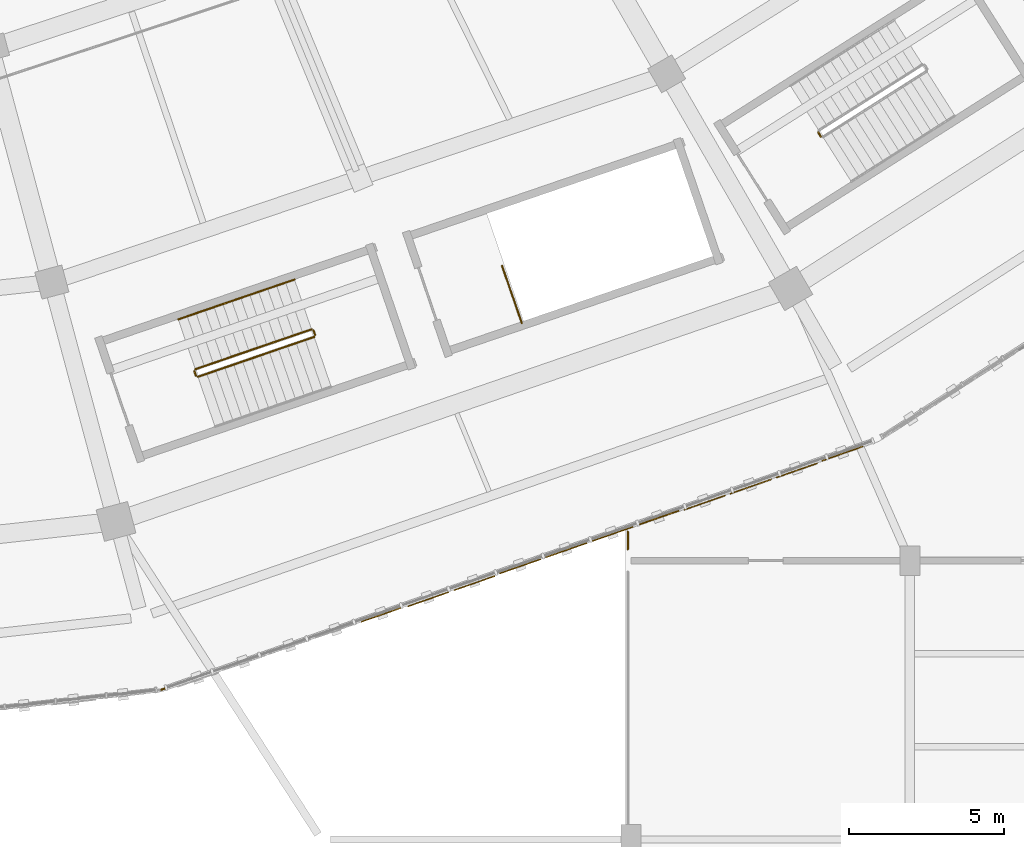
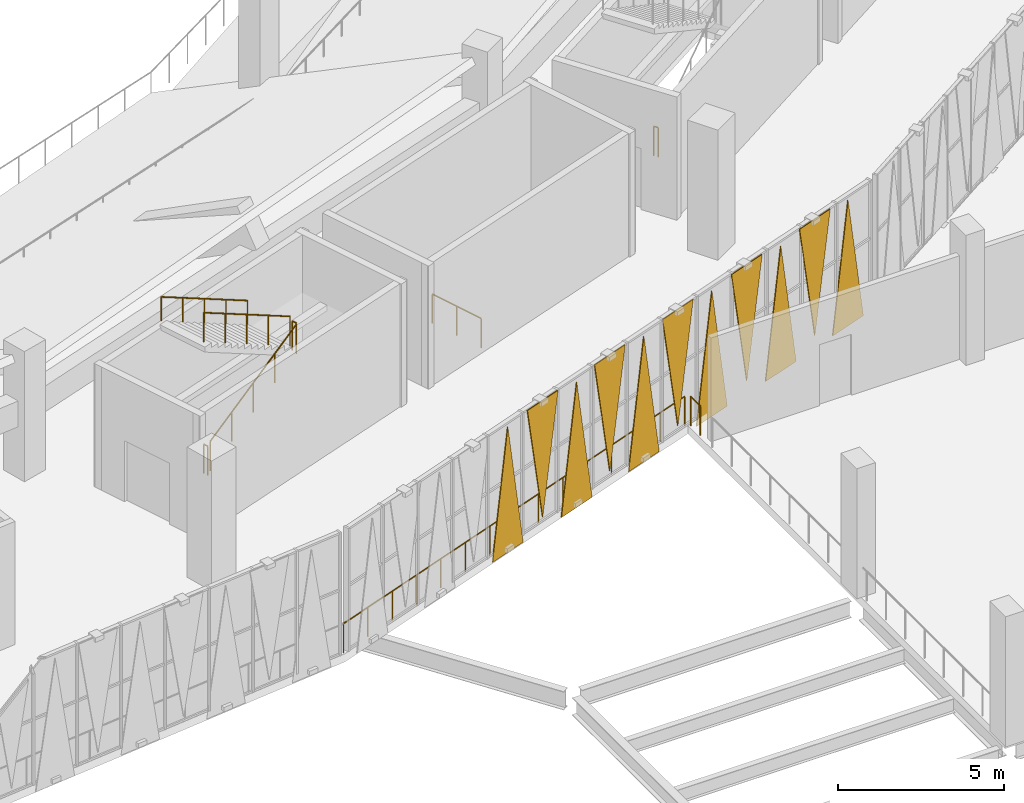
# One storey, part 127 of 152: 11 coverings, 9 railings.
"""IFC4 building model written with IfcOpenShell, lengths in metres."""

from ifc_helpers import new_model, si_unit, direction, frame, origin, origin_2d, place, context, subcontext, project, spatial, polyline, circle, outline, extrude, material, layer, layer_set, type_object, element, save


model = new_model("IFC4")

# Units and contexts
model_context = context("Model", 3, precision=1e-05, world=origin(), true_north=direction((0.0, 1.0)))
body_context = subcontext(model_context, "Body", "Model", "MODEL_VIEW")
ifc_project = project(units=[si_unit("LENGTHUNIT", "METRE"), si_unit("AREAUNIT", "SQUARE_METRE"), si_unit("VOLUMEUNIT", "CUBIC_METRE"), si_unit("PLANEANGLEUNIT", "RADIAN"), si_unit("MASSUNIT", "GRAM", prefix="KILO")], contexts=[model_context])

# Site, building, storey
site_placement = place(None, origin())
site = spatial("IfcSite", under=ifc_project, at=site_placement, CompositionType="ELEMENT")
building_placement = place(site_placement, origin())
building = spatial("IfcBuilding", under=site, at=building_placement, Name="Zevraka Park Crest Stadium", CompositionType="ELEMENT")
storey_placement = place(building_placement, frame((0.0, 0.0, 15.0)))
storey = spatial("IfcBuildingStorey", under=building, at=storey_placement, Name="L03", CompositionType="ELEMENT", Elevation=15.0)

# Coverings
ifc_material_1 = material(Name="Architectural golden-bronze perforated aluminium", Category="aluminium")
ifc_layer = layer(ifc_material_1, 0.034912109375)
ifc_layer_set = layer_set([ifc_layer], Name="Architectural golden-bronze perforated aluminium")
covering_type = type_object("IfcCoveringType", Name="CLD01", PredefinedType="CLADDING", material=ifc_layer_set)
covering_1_placement = place(storey_placement, frame((143.294921875, 16.013916015625, -0.260009765625), z_axis=(0.329343541036, -0.944210162435, 3.3649168e-05), x_axis=(0.94421016297, 0.329343541222, 0.0)))
element("IfcCovering", 1, at=covering_1_placement, inside=storey, type_object=covering_type, Name="Triangular Golden-Bronze Perforated Cladding L03-19-5", PredefinedType="CLADDING", context=body_context, shape_type="SweptSolid", body=[
    extrude(outline(polyline([(0.0, 0.0), (1.4151316020815952, 0.0), (0.7074907440801351, 4.620117190115602), (0.0, 0.0)])), origin(), (0.0, 0.0, -1.0), 0.034912109375),
])
covering_2_placement = place(storey_placement, frame((146.117919921875, 17.0, 4.52001953125), z_axis=(-0.330012295654, 0.943976624056, 0.00013398862), x_axis=(-0.94397663253, -0.330012298616, 0.0)))
element("IfcCovering", 2, at=covering_2_placement, inside=storey, type_object=covering_type, Name="Triangular Golden-Bronze Perforated Cladding L03-19-6", PredefinedType="CLADDING", context=body_context, shape_type="SweptSolid", body=[
    extrude(outline(polyline([(0.0, 0.0), (1.4152230616345545, 6.776263578034403e-21), (0.7074101072951724, -4.300048866724282), (0.0, 0.0)])), origin(), (0.0, 0.0, -1.0), 0.034912109375),
])
covering_3_placement = place(storey_placement, frame((146.26904296875, 17.052978515625, -0.260009765625), z_axis=(-0.33001229605, 0.943976625189, 0.000124706276), x_axis=(0.94397663253, 0.330012298616, 0.0)))
element("IfcCovering", 3, at=covering_3_placement, inside=storey, type_object=covering_type, Name="Triangular Golden-Bronze Perforated Cladding L03-19-7", PredefinedType="CLADDING", context=body_context, shape_type="SweptSolid", body=[
    extrude(outline(polyline([(0.0, 0.0), (1.4152230616345542, 0.0), (0.7074101072951724, -4.620117223425236), (0.0, 0.0)])), origin(), (0.0, 0.0, -1.0), 0.034912109375),
])
covering_4_placement = place(storey_placement, frame((149.091064453125, 18.0390625, 4.52001953125), z_axis=(0.329611990515, -0.944116482, 6.4229956e-05), x_axis=(-0.944116483947, -0.329611991195, 0.0)))
element("IfcCovering", 4, at=covering_4_placement, inside=storey, type_object=covering_type, Name="Triangular Golden-Bronze Perforated Cladding L03-19-8", PredefinedType="CLADDING", context=body_context, shape_type="SweptSolid", body=[
    extrude(outline(polyline([(0.0, 0.0), (1.4139790589388457, 3.3881317890172014e-21), (0.7065687709312647, 4.3000488369948995), (0.0, 0.0)])), origin(), (0.0, 0.0, -1.0), 0.034912109375),
])
covering_5_placement = place(storey_placement, frame((149.241943359375, 18.092041015625, -0.260009765625), z_axis=(0.330012297693, -0.943976629887, 7.4823766e-05), x_axis=(0.94397663253, 0.330012298616, 0.0)))
element("IfcCovering", 5, at=covering_5_placement, inside=storey, type_object=covering_type, Name="Triangular Golden-Bronze Perforated Cladding L03-19-9", PredefinedType="CLADDING", context=body_context, shape_type="SweptSolid", body=[
    extrude(outline(polyline([(0.0, 0.0), (1.4152230616345542, 0.0), (0.70773238493054, 4.620117200433086), (0.0, 0.0)])), origin(), (0.0, 0.0, -1.0), 0.034912109375),
])
covering_6_placement = place(storey_placement, frame((152.06494140625, 19.0791015625, 4.52001953125), z_axis=(0.330012295654, -0.943976624056, 0.00013398862), x_axis=(-0.94397663253, -0.330012298616, 0.0)))
element("IfcCovering", 6, at=covering_6_placement, inside=storey, type_object=covering_type, Name="Triangular Golden-Bronze Perforated Cladding L03-19-10", PredefinedType="CLADDING", context=body_context, shape_type="SweptSolid", body=[
    extrude(outline(polyline([(0.0, 0.0), (1.4152230616345545, 6.776263578034403e-21), (0.707812954339382, 4.300048866724282), (0.0, 0.0)])), origin(), (0.0, 0.0, -1.0), 0.034912109375),
])
covering_7_placement = place(storey_placement, frame((152.216064453125, 19.132080078125, -0.260009765625), z_axis=(0.329243357705, -0.944245101341, 0.0), x_axis=(0.944245101341, 0.329243357705, 0.0)))
element("IfcCovering", 7, at=covering_7_placement, inside=storey, type_object=covering_type, Name="Triangular Golden-Bronze Perforated Cladding L03-19-11", PredefinedType="CLADDING", context=body_context, shape_type="SweptSolid", body=[
    extrude(outline(polyline([(0.0, 0.0), (1.414820683847903, 0.0), (0.7074103419239515, 4.6201171875), (0.0, 0.0)])), origin(), (0.0, 0.0, -1.0), 0.034912109375),
])
covering_8_placement = place(storey_placement, frame((155.0390625, 20.117919921875, 4.52001953125), z_axis=(-0.329958563173, 0.943995408388, 0.000124624382), x_axis=(-0.943995415719, -0.329958565735, 0.0)))
element("IfcCovering", 8, at=covering_8_placement, inside=storey, type_object=covering_type, Name="Triangular Golden-Bronze Perforated Cladding L03-19-12", PredefinedType="CLADDING", context=body_context, shape_type="SweptSolid", body=[
    extrude(outline(polyline([(0.0, 0.0), (1.415453526972662, 0.0), (0.7074101389447789, -4.3000488615175385), (0.0, 0.0)])), origin(), (0.0, 0.0, -1.0), 0.034912109375),
])
covering_9_placement = place(storey_placement, frame((155.18994140625, 20.1708984375, -0.260009765625), z_axis=(-0.330012297693, 0.943976629887, 7.4823766e-05), x_axis=(0.94397663253, 0.330012298616, 0.0)))
element("IfcCovering", 9, at=covering_9_placement, inside=storey, type_object=covering_type, Name="Triangular Golden-Bronze Perforated Cladding L03-19-13", PredefinedType="CLADDING", context=body_context, shape_type="SweptSolid", body=[
    extrude(outline(polyline([(0.0, 0.0), (1.4152230616345542, 0.0), (0.7074906767040143, -4.620117200433086), (0.0, 0.0)])), origin(), (0.0, 0.0, -1.0), 0.034912109375),
])
covering_10_placement = place(storey_placement, frame((158.012939453125, 21.156982421875, 4.52001953125), z_axis=(-0.32939719824, 0.944191445139, 2.6803822e-05), x_axis=(-0.944191445478, -0.329397198358, 0.0)))
element("IfcCovering", 10, at=covering_10_placement, inside=storey, type_object=covering_type, Name="Triangular Golden-Bronze Perforated Cladding L03-19-14", PredefinedType="CLADDING", context=body_context, shape_type="SweptSolid", body=[
    extrude(outline(polyline([(0.0, 0.0), (1.4149010843069405, 0.0), (0.70741033253453, -4.300048829669675), (0.0, 0.0)])), origin(), (0.0, 0.0, -1.0), 0.034912109375),
])
covering_11_placement = place(storey_placement, frame((158.1640625, 21.2099609375, -0.260009765625), z_axis=(0.33001229605, -0.943976625189, 0.000124706276), x_axis=(0.94397663253, 0.330012298616, 0.0)))
element("IfcCovering", 11, at=covering_11_placement, inside=storey, type_object=covering_type, Name="Triangular Golden-Bronze Perforated Cladding L03-19-15", PredefinedType="CLADDING", context=body_context, shape_type="SweptSolid", body=[
    extrude(outline(polyline([(0.0, 0.0), (1.4152230616345542, 0.0), (0.707812954339382, 4.620117223425236), (0.0, 0.0)])), origin(), (0.0, 0.0, -1.0), 0.034912109375),
])

# Railings
ifc_material_2 = material(Name="Galvanised and bronze-finished steel balustrade", Category="steel")
railing_type_1 = type_object("IfcRailingType", Name="GR01", PredefinedType="GUARDRAIL", material=ifc_material_2)
railing_1_placement = place(storey_placement, frame((151.89501953125, 18.364990234375, 0.0)))
element("IfcRailing", 12, at=railing_1_placement, inside=storey, type_object=railing_type_1, Name="Deck Edge Protection Guardrail GR01 L03-29", PredefinedType="GUARDRAIL", context=body_context, shape_type="SweptSolid", body=[
    extrude(circle(Radius=0.02392578125, at=origin_2d()), frame((0.0, 0.0, 1.076171875), z_axis=(-0.005095475251, 0.999987017982, 0.0), x_axis=(-0.999987017982, -0.005095475251, 0.0)), (0.0, 0.0, 1.0), 0.574951171875),
    extrude(circle(Radius=0.02099609375, at=origin_2d()), origin(), (0.0, 0.0, 1.0), 1.052001953125),
    extrude(circle(Radius=0.02099609375, at=origin_2d()), frame((-0.0029296875, 0.574951171875, 0.0)), (0.0, 0.0, 1.0), 1.052001953125),
])
railing_2_placement = place(storey_placement, frame((151.738037109375, 19.037109375, 0.0)))
element("IfcRailing", 13, at=railing_2_placement, inside=storey, type_object=railing_type_1, Name="Deck Edge Protection Guardrail GR01 L03-30", PredefinedType="GUARDRAIL", context=body_context, shape_type="SweptSolid", body=[
    extrude(circle(Radius=0.02392578125, at=origin_2d()), frame((0.0, 0.0, 1.076171875), z_axis=(-0.944044532459, -0.329818011537, 0.0), x_axis=(0.329818011537, -0.944044532459, 0.0)), (0.0, 0.0, 1.0), 15.79052734375),
    extrude(circle(Radius=0.02099609375, at=origin_2d()), origin(), (0.0, 0.0, 1.0), 1.052001953125),
    extrude(circle(Radius=0.02099609375, at=origin_2d()), frame((-1.064697265625, -0.3720703125, 0.0)), (0.0, 0.0, 1.0), 1.052001953125),
    extrude(circle(Radius=0.02099609375, at=origin_2d()), frame((-2.129638671875, -0.743896484375, 0.0)), (0.0, 0.0, 1.0), 1.052001953125),
    extrude(circle(Radius=0.02099609375, at=origin_2d()), frame((-3.1943359375, -1.115966796875, 0.0)), (0.0, 0.0, 1.0), 1.052001953125),
    extrude(circle(Radius=0.02099609375, at=origin_2d()), frame((-4.259033203125, -1.488037109375, 0.0)), (0.0, 0.0, 1.0), 1.052001953125),
    extrude(circle(Radius=0.02099609375, at=origin_2d()), frame((-5.323974609375, -1.860107421875, 0.0)), (0.0, 0.0, 1.0), 1.052001953125),
    extrude(circle(Radius=0.02099609375, at=origin_2d()), frame((-6.388671875, -2.23193359375, 0.0)), (0.0, 0.0, 1.0), 1.052001953125),
    extrude(circle(Radius=0.02099609375, at=origin_2d()), frame((-7.45361328125, -2.60400390625, 0.0)), (0.0, 0.0, 1.0), 1.052001953125),
    extrude(circle(Radius=0.02099609375, at=origin_2d()), frame((-8.518310546875, -2.97607421875, 0.0)), (0.0, 0.0, 1.0), 1.052001953125),
    extrude(circle(Radius=0.02099609375, at=origin_2d()), frame((-9.5830078125, -3.347900390625, 0.0)), (0.0, 0.0, 1.0), 1.052001953125),
    extrude(circle(Radius=0.02099609375, at=origin_2d()), frame((-10.64794921875, -3.719970703125, 0.0)), (0.0, 0.0, 1.0), 1.052001953125),
    extrude(circle(Radius=0.02099609375, at=origin_2d()), frame((-11.712646484375, -4.092041015625, 0.0)), (0.0, 0.0, 1.0), 1.052001953125),
    extrude(circle(Radius=0.02099609375, at=origin_2d()), frame((-12.77734375, -4.464111328125, 0.0)), (0.0, 0.0, 1.0), 1.052001953125),
    extrude(circle(Radius=0.02099609375, at=origin_2d()), frame((-13.84228515625, -4.8359375, 0.0)), (0.0, 0.0, 1.0), 1.052001953125),
    extrude(circle(Radius=0.02099609375, at=origin_2d()), frame((-14.906982421875, -5.2080078125, 0.0)), (0.0, 0.0, 1.0), 1.052001953125),
])
ifc_material_3 = material(Name="Powder-coated tubular steel stairwell guard", Category="steel")
railing_type_2 = type_object("IfcRailingType", Name="GR03", PredefinedType="GUARDRAIL", material=ifc_material_3)
railing_3_placement = place(storey_placement, frame((138.01611328125, 23.9365234375, 0.17138671875)))
element("IfcRailing", 14, at=railing_3_placement, inside=storey, type_object=railing_type_2, Name="L03 ST20 stair guard 1", PredefinedType="GUARDRAIL", context=body_context, shape_type="SweptSolid", body=[
    extrude(circle(Radius=0.02392578125, at=origin_2d()), frame((0.0, 0.0, 1.076171875), z_axis=(0.824726794133, 0.282441418206, 0.489951589772), x_axis=(-0.32399372979, 0.946059228091, 0.0)), (0.0, 0.0, 1.0), 4.54833984375),
    extrude(circle(Radius=0.02099609375, at=origin_2d()), origin(), (0.0, 0.0, 1.0), 1.052001953125),
    extrude(circle(Radius=0.02099609375, at=origin_2d()), frame((0.937744140625, 0.3212890625, 0.55712890625)), (0.0, 0.0, 1.0), 1.052001953125),
    extrude(circle(Radius=0.02099609375, at=origin_2d()), frame((1.87548828125, 0.642333984375, 1.1142578125)), (0.0, 0.0, 1.0), 1.052001953125),
    extrude(circle(Radius=0.02099609375, at=origin_2d()), frame((2.8134765625, 0.96337890625, 1.67138671875)), (0.0, 0.0, 1.0), 1.052001953125),
    extrude(circle(Radius=0.02099609375, at=origin_2d()), frame((3.751220703125, 1.28466796875, 2.228515625)), (0.0, 0.0, 1.0), 1.052001953125),
])
railing_4_placement = place(storey_placement, frame((141.798583984375, 25.28466796875, 2.39990234375)))
element("IfcRailing", 15, at=railing_4_placement, inside=storey, type_object=railing_type_2, Name="L03 ST20 stair guard 2", PredefinedType="GUARDRAIL", context=body_context, shape_type="SweptSolid", body=[
    extrude(circle(Radius=0.02392578125, at=origin_2d()), frame((0.0, 0.0, 1.076171875), z_axis=(-0.324909238665, 0.945745201748, 0.0), x_axis=(-0.945745201748, -0.324909238665, 0.0)), (0.0, 0.0, 1.0), 0.16015625),
    extrude(circle(Radius=0.02099609375, at=origin_2d()), origin(), (0.0, 0.0, 1.0), 1.052001953125),
    extrude(circle(Radius=0.02099609375, at=origin_2d()), frame((-0.052001953125, 0.1513671875, 0.0)), (0.0, 0.0, 1.0), 1.052001953125),
])
railing_5_placement = place(storey_placement, frame((141.68310546875, 25.467041015625, 2.571533203125)))
element("IfcRailing", 16, at=railing_5_placement, inside=storey, type_object=railing_type_2, Name="L03 ST20 stair guard 3", PredefinedType="GUARDRAIL", context=body_context, shape_type="SweptSolid", body=[
    extrude(circle(Radius=0.02392578125, at=origin_2d()), frame((0.0, 0.0, 1.076171875), z_axis=(-0.824739296281, -0.282392023283, 0.489959017016), x_axis=(0.323938619155, -0.946078099852, 0.0)), (0.0, 0.0, 1.0), 4.54833984375),
    extrude(circle(Radius=0.02099609375, at=origin_2d()), origin(), (0.0, 0.0, 1.0), 1.052001953125),
    extrude(circle(Radius=0.02099609375, at=origin_2d()), frame((-0.937744140625, -0.321044921875, 0.55712890625)), (0.0, 0.0, 1.0), 1.052001953125),
    extrude(circle(Radius=0.02099609375, at=origin_2d()), frame((-1.87548828125, -0.64208984375, 1.1142578125)), (0.0, 0.0, 1.0), 1.052001953125),
    extrude(circle(Radius=0.02099609375, at=origin_2d()), frame((-2.8134765625, -0.96337890625, 1.67138671875)), (0.0, 0.0, 1.0), 1.052001953125),
    extrude(circle(Radius=0.02099609375, at=origin_2d()), frame((-3.751220703125, -1.284423828125, 2.228515625)), (0.0, 0.0, 1.0), 1.052001953125),
])
railing_6_placement = place(storey_placement, frame((137.95263671875, 23.9677734375, 0.0)))
element("IfcRailing", 17, at=railing_6_placement, inside=storey, type_object=railing_type_2, Name="L03 ST20 stair guard 4", PredefinedType="GUARDRAIL", context=body_context, shape_type="SweptSolid", body=[
    extrude(circle(Radius=0.02392578125, at=origin_2d()), frame((0.0, 0.0, 1.076171875), z_axis=(-0.32354385955, 0.946213174156, 0.0), x_axis=(-0.946213174156, -0.32354385955, 0.0)), (0.0, 0.0, 1.0), 0.159912109375),
    extrude(circle(Radius=0.02099609375, at=origin_2d()), origin(), (0.0, 0.0, 1.0), 1.052001953125),
    extrude(circle(Radius=0.02099609375, at=origin_2d()), frame((-0.0517578125, 0.1513671875, 0.0)), (0.0, 0.0, 1.0), 1.052001953125),
])
railing_7_placement = place(storey_placement, frame((158.12548828125, 31.6904296875, 0.0)))
element("IfcRailing", 18, at=railing_7_placement, inside=storey, type_object=railing_type_2, Name="L03 ST21 stair guard 4", PredefinedType="GUARDRAIL", context=body_context, shape_type="SweptSolid", body=[
    extrude(circle(Radius=0.02392578125, at=origin_2d()), frame((0.0, 0.0, 1.076171875), z_axis=(-0.535887230789, 0.844289568736, 0.0), x_axis=(-0.844289568736, -0.535887230789, 0.0)), (0.0, 0.0, 1.0), 0.159912109375),
    extrude(circle(Radius=0.02099609375, at=origin_2d()), origin(), (0.0, 0.0, 1.0), 1.052001953125),
    extrude(circle(Radius=0.02099609375, at=origin_2d()), frame((-0.085693359375, 0.135009765625, 0.0)), (0.0, 0.0, 1.0), 1.052001953125),
])
railing_8_placement = place(storey_placement, frame((148.469970703125, 25.665771484375, 0.0)))
element("IfcRailing", 19, at=railing_8_placement, inside=storey, type_object=railing_type_2, Name="L03 ST31 top well guard 1", PredefinedType="GUARDRAIL", context=body_context, shape_type="SweptSolid", body=[
    extrude(circle(Radius=0.02392578125, at=origin_2d()), frame((0.0, 0.0, 1.076171875), z_axis=(-0.323989920405, 0.94606053267, 0.0), x_axis=(-0.94606053267, -0.323989920405, 0.0)), (0.0, 0.0, 1.0), 1.9599609375),
    extrude(circle(Radius=0.02099609375, at=origin_2d()), origin(), (0.0, 0.0, 1.0), 1.052001953125),
    extrude(circle(Radius=0.02099609375, at=origin_2d()), frame((-0.3173828125, 0.92724609375, 0.0)), (0.0, 0.0, 1.0), 1.052001953125),
    extrude(circle(Radius=0.02099609375, at=origin_2d()), frame((-0.635009765625, 1.854248046875, 0.0)), (0.0, 0.0, 1.0), 1.052001953125),
])
ifc_material_4 = material(Name="Brushed stainless steel continuous handrail", Category="steel")
railing_type_3 = type_object("IfcRailingType", Name="HR01", PredefinedType="HANDRAIL", material=ifc_material_4)
railing_9_placement = place(storey_placement, frame((141.13232421875, 27.075439453125, 2.571533203125)))
element("IfcRailing", 20, at=railing_9_placement, inside=storey, type_object=railing_type_3, Name="L03 ST20 stair handrail 2", PredefinedType="HANDRAIL", context=body_context, shape_type="SweptSolid", body=[
    extrude(circle(Radius=0.02392578125, at=origin_2d()), frame((0.0, 0.0, 0.8759765625), z_axis=(-0.824726794133, -0.282441418206, 0.489951589772), x_axis=(0.32399372979, -0.946059228091, 0.0)), (0.0, 0.0, 1.0), 4.54833984375),
    extrude(circle(Radius=0.02099609375, at=origin_2d()), origin(), (0.0, 0.0, 1.0), 0.851806640625),
    extrude(circle(Radius=0.02099609375, at=origin_2d()), frame((-0.937744140625, -0.3212890625, 0.55712890625)), (0.0, 0.0, 1.0), 0.851806640625),
    extrude(circle(Radius=0.02099609375, at=origin_2d()), frame((-1.87548828125, -0.642333984375, 1.1142578125)), (0.0, 0.0, 1.0), 0.851806640625),
    extrude(circle(Radius=0.02099609375, at=origin_2d()), frame((-2.8134765625, -0.96337890625, 1.67138671875)), (0.0, 0.0, 1.0), 0.851806640625),
    extrude(circle(Radius=0.02099609375, at=origin_2d()), frame((-3.751220703125, -1.28466796875, 2.228515625)), (0.0, 0.0, 1.0), 0.851806640625),
])

save(model, "model.ifc")
